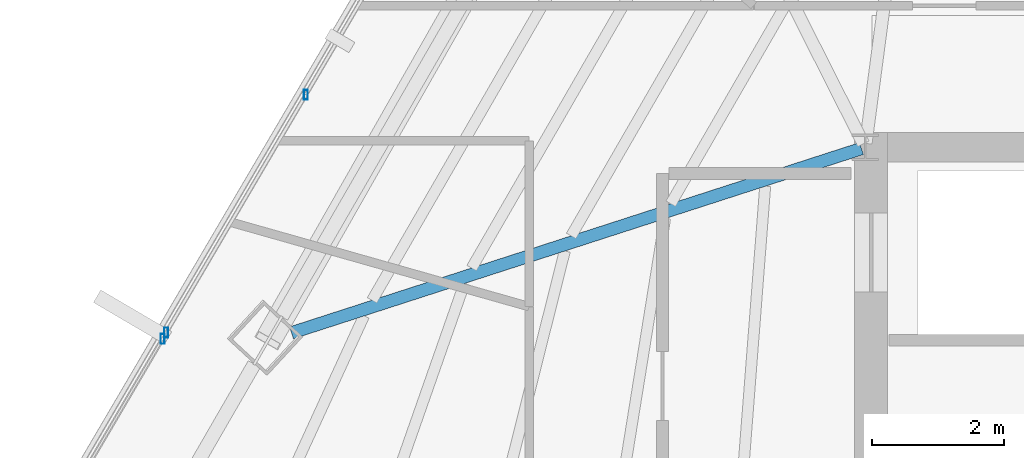
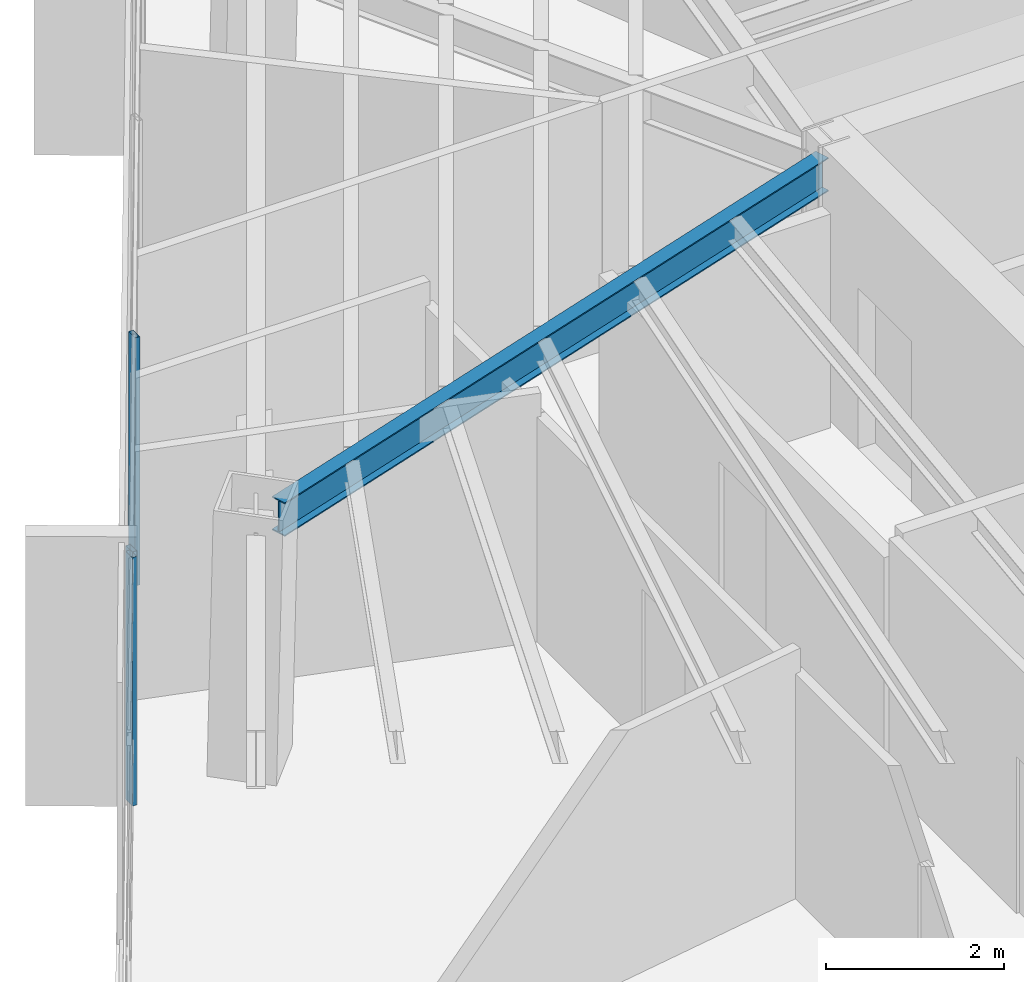
# One storey, part 15 of 42: 3 members, 1 beam, 2 elements without a shape of their own.
"""IFC4 building model written with IfcOpenShell, lengths in metres."""

from ifc_helpers import new_model, si_unit, direction, frame, origin, origin_2d, place, context, subcontext, project, spatial, hollow_rectangle, i_section, extrude, source, transform, mapped, material, material_profile, profile_set, type_object, type_shapes, element, aggregate, save


model = new_model("IFC4")

# Units and contexts
model_context = context("Model", 3, precision=1e-05, world=origin(), true_north=direction((0.0, 1.0)))
body_context = subcontext(model_context, "Body", "Model", "MODEL_VIEW")
ifc_project = project(units=[si_unit("LENGTHUNIT", "METRE"), si_unit("AREAUNIT", "SQUARE_METRE"), si_unit("VOLUMEUNIT", "CUBIC_METRE"), si_unit("PLANEANGLEUNIT", "RADIAN"), si_unit("MASSUNIT", "GRAM", prefix="KILO")], contexts=[model_context])

# Site, building, storey
site_placement = place(None, origin())
site = spatial("IfcSite", under=ifc_project, at=site_placement, CompositionType="ELEMENT")
building_placement = place(site_placement, origin())
building = spatial("IfcBuilding", under=site, at=building_placement, Name="Caelisora Broadcast Tower", CompositionType="ELEMENT")
storey_placement = place(building_placement, frame((0.0, 0.0, 191.35009765625)))
storey = spatial("IfcBuildingStorey", under=building, at=storey_placement, Name="L50", CompositionType="ELEMENT", Elevation=191.35009765625)

# Beam
ifc_material_1 = material(Name="Steel Grade 350 (AS/NZS 3679.1)", Category="steel")
ifc_material_profile_1 = material_profile(ifc_material_1, i_section(OverallWidth=0.19091796875, OverallDepth=0.46044921875, WebThickness=0.010009765625, FlangeThickness=0.01611328125, at=origin_2d()), Name="Steel Grade 350 (AS/NZS 3679.1)")
ifc_profile_set_1 = profile_set([ifc_material_profile_1], Name="Steel Grade 350 (AS/NZS 3679.1)")
beam_type = type_object("IfcBeamType", Name="PG06", PredefinedType="BEAM", material=ifc_profile_set_1)
shared_shape_1 = source(origin(), body_context, "Body", "SweptSolid", [
    extrude(i_section(OverallWidth=0.19091796875, OverallDepth=0.46044921875, WebThickness=0.010009765625, FlangeThickness=0.01611328125, at=origin_2d()), origin(), (0.0, 0.0, 1.0), 9.096923828125),
])
type_shapes(beam_type, [shared_shape_1])
beam_placement = place(storey_placement, frame((30.44287109375, 29.9814453125, 3.169677734375), z_axis=(-0.951510614075, -0.307615915229, 0.0), x_axis=(0.307615915229, -0.951510614075, 0.0)))
element("IfcBeam", 1, at=beam_placement, inside=storey, type_object=beam_type, Name="L50 beam PG06", PredefinedType="BEAM", context=body_context, shape_type="MappedRepresentation", body=[
    mapped(shared_shape_1, transform((0.0, 0.0, 0.0), scale=1.0)),
])

# Curtain wall, member
ifc_material_2 = material(Name="Unitised Aluminium and Low-E Glass Curtain Wall", Category="glass")
curtain_wall_type_1 = type_object("IfcCurtainWallType", Name="CW-Z4", PredefinedType="NOTDEFINED", material=ifc_material_2)
curtain_wall_1_placement = place(storey_placement, origin())
curtain_wall_1 = element("IfcCurtainWall", 2, at=curtain_wall_1_placement, inside=storey, type_object=curtain_wall_type_1, Name="L50 curtain wall CW-Z4", PredefinedType="NOTDEFINED")
ifc_material_3 = material(Name="Aluminium 6063-T6 Anodised Terracotta Bronze", Category="aluminium")
ifc_material_profile_2 = material_profile(ifc_material_3, hollow_rectangle(XDim=0.06005859375, YDim=0.14990234375, WallThickness=0.00341796875, at=origin_2d()), Name="Aluminium 6063-T6 Anodised Terracotta Bronze")
ifc_profile_set_2 = profile_set([ifc_material_profile_2], Name="Aluminium 6063-T6 Anodised Terracotta Bronze")
member_type = type_object("IfcMemberType", Name="CWM-03", PredefinedType="MULLION", material=ifc_profile_set_2)
shared_shape_2 = source(origin(), body_context, "Body", "SweptSolid", [
    extrude(hollow_rectangle(XDim=0.06005859375, YDim=0.14990234375, WallThickness=0.00341796875, at=origin_2d()), origin(), (0.0, 0.0, 1.0), 3.39990234375),
])
type_shapes(member_type, [shared_shape_2])
member_1_placement = place(storey_placement, frame((19.828857421875, 27.091796875, 0.0), z_axis=(0.0, 0.0, 1.0), x_axis=(1.0, 0.0, 0.0)))
member_1 = element("IfcMember", 3, at=member_1_placement, type_object=member_type, Name="L50-CW-B09 mullion #3", PredefinedType="MULLION", context=body_context, shape_type="MappedRepresentation", body=[
    mapped(shared_shape_2, transform((0.0, 0.0, 0.0), scale=1.0)),
])
aggregate(curtain_wall_1, [member_1])

# Curtain wall, members
ifc_material_4 = material(Name="Unitised Aluminium Insulated Shadow-Box Spandrel Curtain Wall", Category="aluminium")
curtain_wall_type_2 = type_object("IfcCurtainWallType", Name="CW-SP2", PredefinedType="NOTDEFINED", material=ifc_material_4)
curtain_wall_2_placement = place(storey_placement, origin())
curtain_wall_2 = element("IfcCurtainWall", 4, at=curtain_wall_2_placement, inside=storey, type_object=curtain_wall_type_2, Name="L50 curtain wall CW-SP2", PredefinedType="NOTDEFINED")
member_2_placement = place(storey_placement, frame((19.884521484375, 27.186767578125, 0.0), z_axis=(0.0, 0.0, 1.0), x_axis=(1.0, 0.0, 0.0)))
member_2 = element("IfcMember", 5, at=member_2_placement, type_object=member_type, Name="L50-CW-B10 mullion #0", PredefinedType="MULLION", context=body_context, shape_type="MappedRepresentation", body=[
    mapped(shared_shape_2, transform((0.0, 0.0, 0.0), scale=1.0)),
])
member_3_placement = place(storey_placement, frame((22.005126953125, 30.798583984375, 0.0), z_axis=(0.0, 0.0, 1.0), x_axis=(1.0, 0.0, 0.0)))
member_3 = element("IfcMember", 6, at=member_3_placement, type_object=member_type, Name="L50-CW-B10 mullion #1", PredefinedType="MULLION", context=body_context, shape_type="MappedRepresentation", body=[
    mapped(shared_shape_2, transform((0.0, 0.0, 0.0), scale=1.0)),
])
aggregate(curtain_wall_2, [member_2, member_3])

save(model, "model.ifc")
